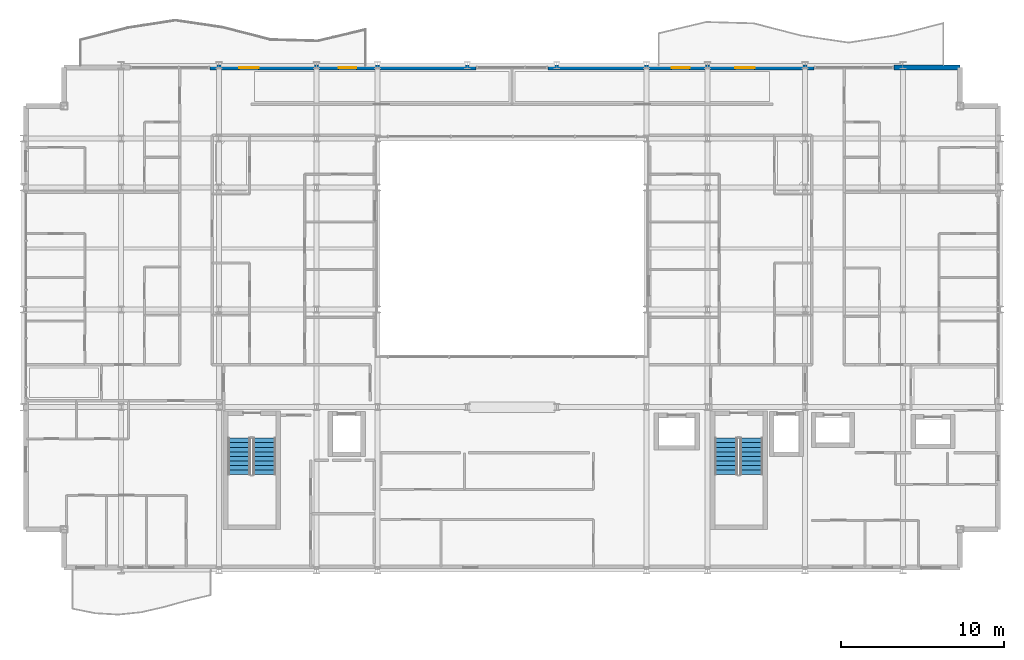
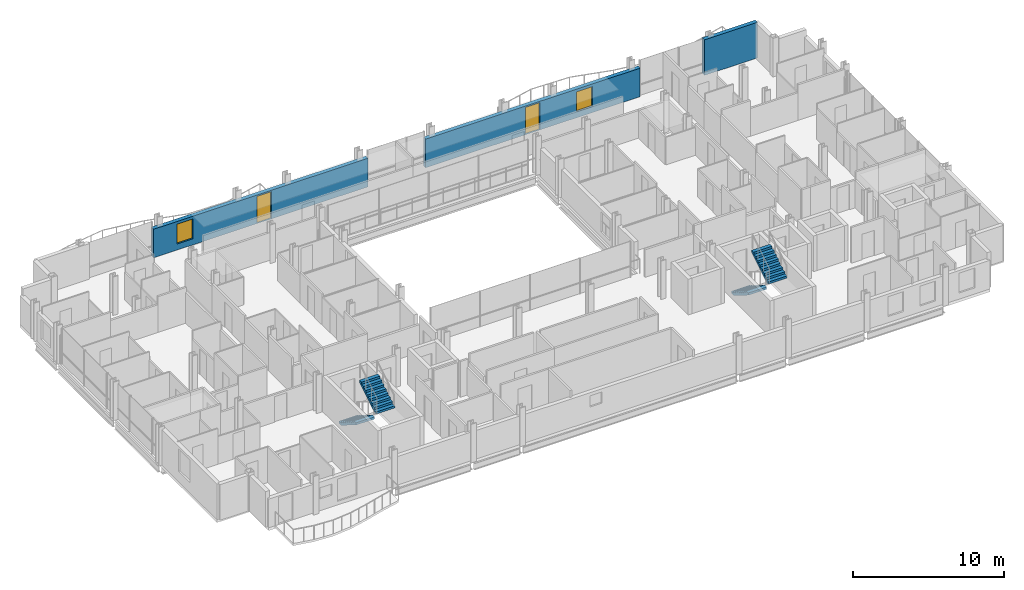
# One storey, part 37 of 41: 4 stair flights, 3 walls, 2 doors, 2 windows, 4 openings, 2 elements without a shape of their own.
"""IFC4 building model written with IfcOpenShell, lengths in metres."""

from ifc_helpers import new_model, si_unit, direction, frame, frame_2d, origin, place, context, subcontext, project, spatial, polyline, rectangle, outline, extrude, material, layer, layer_set, type_object, element, fill, aggregate, save


model = new_model("IFC4")

# Units and contexts
model_context = context("Model", 3, precision=1e-05, world=origin(), true_north=direction((0.0, 1.0)))
body_context = subcontext(model_context, "Body", "Model", "MODEL_VIEW")
ifc_project = project(units=[si_unit("LENGTHUNIT", "METRE"), si_unit("AREAUNIT", "SQUARE_METRE"), si_unit("VOLUMEUNIT", "CUBIC_METRE"), si_unit("PLANEANGLEUNIT", "RADIAN"), si_unit("MASSUNIT", "GRAM", prefix="KILO")], contexts=[model_context])

# Site, building, storey
site_placement = place(None, origin())
site = spatial("IfcSite", under=ifc_project, at=site_placement, CompositionType="ELEMENT")
building_placement = place(site_placement, origin())
building = spatial("IfcBuilding", under=site, at=building_placement, Name="Brevholm Reach", CompositionType="ELEMENT")
storey_placement = place(building_placement, frame((0.0, 0.0, 68.300048828125)))
storey = spatial("IfcBuildingStorey", under=building, at=storey_placement, Name="L19", CompositionType="ELEMENT", Elevation=68.300048828125)

# Wall
ifc_material_1 = material(Name="Concrete C40/50", Category="concrete")
ifc_layer_1 = layer(ifc_material_1, 0.300048828125)
ifc_layer_set_1 = layer_set([ifc_layer_1], Name="Concrete C40/50")
wall_type = type_object("IfcWallType", Name="WAL-EXT-300", PredefinedType="STANDARD", material=ifc_layer_set_1)
wall_1_placement = place(storey_placement, frame((53.449951171875, 30.85009765625, 0.0), z_axis=(0.0, 0.0, 1.0), x_axis=(1.0, 0.0, 0.0)))
element("IfcWall", 1, at=wall_1_placement, inside=storey, type_object=wall_type, Name="L19 Facade Wall WAL-L19-NP-E0", PredefinedType="STANDARD", context=body_context, shape_type="SweptSolid", body=[
    extrude(rectangle(XDim=4.050048828125, YDim=0.300048828125, at=frame_2d((2.02490234375, 0.0))), origin(), (0.0, 0.0, 1.0), 2.869873046875),
])

# Wall, openings, door, window
wall_2_placement = place(storey_placement, frame((11.449951171875, 30.85009765625, 0.0), z_axis=(0.0, 0.0, 1.0), x_axis=(1.0, 0.0, 0.0)))
wall_2 = element("IfcWall", 2, at=wall_2_placement, inside=storey, type_object=wall_type, Name="L19 Facade Wall WAL-L19-NP-WL", PredefinedType="STANDARD", context=body_context, shape_type="SweptSolid", body=[
    extrude(rectangle(XDim=16.35009765625, YDim=0.300048828125, at=frame_2d((8.175048828125, 0.0))), origin(), (0.0, 0.0, 1.0), 2.305419921875),
])
opening_1_placement = place(wall_2_placement, frame((7.89794921875, 0.0, 0.0)))
opening_1 = element("IfcOpeningElement", 3, at=opening_1_placement, cuts=wall_2, Name="Opening BD-01", PredefinedType="OPENING", context=body_context, shape_type="SweptSolid", body=[
    extrude(rectangle(XDim=1.10009765625, YDim=2.199951171875, at=frame_2d((0.550048828125, 1.10009765625))), frame((0.0, 0.159912109375, 0.0), z_axis=(0.0, -1.0, 0.0), x_axis=(1.0, 0.0, 0.0)), (0.0, 0.0, 1.0), 0.320068359375),
])
opening_2_placement = place(wall_2_placement, frame((1.800048828125, 0.0, 0.486083984375)))
opening_2 = element("IfcOpeningElement", 4, at=opening_2_placement, cuts=wall_2, Name="Opening WN-08", PredefinedType="OPENING", context=body_context, shape_type="SweptSolid", body=[
    extrude(rectangle(XDim=1.199951171875, YDim=1.60009765625, at=frame_2d((0.60009765625, 0.800048828125))), frame((0.0, 0.159912109375, 0.0), z_axis=(0.0, -1.0, 0.0), x_axis=(1.0, 0.0, 0.0)), (0.0, 0.0, 1.0), 0.320068359375),
])
ifc_material_2 = material(Name="Dark Anodised Aluminium and Triple-Glazed Glass", Category="aluminium")
door_type = type_object("IfcDoorType", Name="DOR-BALC-1100", OperationType="NOTDEFINED", PredefinedType="DOOR", material=ifc_material_2)
door_1_placement = place(opening_1_placement, origin())
door_1 = element("IfcDoor", 5, at=door_1_placement, inside=storey, type_object=door_type, Name="L19 Exterior Door DOR-L19-BL-NW", OperationType="SINGLE_SWING_LEFT", OverallHeight=2.199951171875, OverallWidth=1.10009765625, PredefinedType="DOOR", context=body_context, shape_type="SweptSolid", body=[
    extrude(rectangle(XDim=1.10009765625, YDim=2.199951171875, at=frame_2d((0.550048828125, 1.10009765625))), frame((0.0, 0.02490234375, 0.0), z_axis=(0.0, -1.0, 0.0), x_axis=(1.0, 0.0, 0.0)), (0.0, 0.0, 1.0), 0.050048828125),
])
fill(opening_1, door_1)
ifc_material_3 = material(Name="Dark Anodised Aluminium and Solar-Control IGU Glass", Category="aluminium")
window_type = type_object("IfcWindowType", Name="WIN-RES-1200", PartitioningType="SINGLE_PANEL", PredefinedType="WINDOW", material=ifc_material_3)
window_1_placement = place(opening_2_placement, origin())
window_1 = element("IfcWindow", 6, at=window_1_placement, inside=storey, type_object=window_type, Name="L19 Window WIN-L19-NP-WL1", OverallHeight=1.60009765625, OverallWidth=1.199951171875, PartitioningType="SINGLE_PANEL", PredefinedType="WINDOW", context=body_context, shape_type="SweptSolid", body=[
    extrude(rectangle(XDim=1.199951171875, YDim=1.60009765625, at=frame_2d((0.60009765625, 0.800048828125))), frame((0.0, 0.030029296875, 0.0), z_axis=(0.0, -1.0, 0.0), x_axis=(1.0, 0.0, 0.0)), (0.0, 0.0, 1.0), 0.06005859375),
])
fill(opening_2, window_1)

wall_3_placement = place(storey_placement, frame((32.199951171875, 30.85009765625, 0.0), z_axis=(0.0, 0.0, 1.0), x_axis=(1.0, 0.0, 0.0)))
wall_3 = element("IfcWall", 7, at=wall_3_placement, inside=storey, type_object=wall_type, Name="L19 Facade Wall WAL-L19-NP-ER", PredefinedType="STANDARD", context=body_context, shape_type="SweptSolid", body=[
    extrude(rectangle(XDim=16.35009765625, YDim=0.300048828125, at=frame_2d((8.175048828125, 0.0))), origin(), (0.0, 0.0, 1.0), 2.305419921875),
])
opening_3_placement = place(wall_3_placement, frame((7.60009765625, 0.0, 0.0)))
opening_3 = element("IfcOpeningElement", 8, at=opening_3_placement, cuts=wall_3, Name="Opening BD-01", PredefinedType="OPENING", context=body_context, shape_type="SweptSolid", body=[
    extrude(rectangle(XDim=1.10009765625, YDim=2.199951171875, at=frame_2d((0.550048828125, 1.10009765625))), frame((0.0, 0.159912109375, 0.0), z_axis=(0.0, -1.0, 0.0), x_axis=(1.0, 0.0, 0.0)), (0.0, 0.0, 1.0), 0.320068359375),
])
opening_4_placement = place(wall_3_placement, frame((11.5, 0.0, 0.486083984375)))
opening_4 = element("IfcOpeningElement", 9, at=opening_4_placement, cuts=wall_3, Name="Opening WN-08", PredefinedType="OPENING", context=body_context, shape_type="SweptSolid", body=[
    extrude(rectangle(XDim=1.199951171875, YDim=1.60009765625, at=frame_2d((0.60009765625, 0.800048828125))), frame((0.0, 0.159912109375, 0.0), z_axis=(0.0, -1.0, 0.0), x_axis=(1.0, 0.0, 0.0)), (0.0, 0.0, 1.0), 0.320068359375),
])
door_2_placement = place(opening_3_placement, origin())
door_2 = element("IfcDoor", 10, at=door_2_placement, inside=storey, type_object=door_type, Name="L19 Exterior Door DOR-L19-BL-NE", OperationType="SINGLE_SWING_RIGHT", OverallHeight=2.199951171875, OverallWidth=1.10009765625, PredefinedType="DOOR", context=body_context, shape_type="SweptSolid", body=[
    extrude(rectangle(XDim=1.10009765625, YDim=2.199951171875, at=frame_2d((0.550048828125, 1.10009765625))), frame((0.0, 0.02490234375, 0.0), z_axis=(0.0, -1.0, 0.0), x_axis=(1.0, 0.0, 0.0)), (0.0, 0.0, 1.0), 0.050048828125),
])
fill(opening_3, door_2)
window_2_placement = place(opening_4_placement, origin())
window_2 = element("IfcWindow", 11, at=window_2_placement, inside=storey, type_object=window_type, Name="L19 Window WIN-L19-NP-ER1", OverallHeight=1.60009765625, OverallWidth=1.199951171875, PartitioningType="SINGLE_PANEL", PredefinedType="WINDOW", context=body_context, shape_type="SweptSolid", body=[
    extrude(rectangle(XDim=1.199951171875, YDim=1.60009765625, at=frame_2d((0.60009765625, 0.800048828125))), frame((0.0, 0.030029296875, 0.0), z_axis=(0.0, -1.0, 0.0), x_axis=(1.0, 0.0, 0.0)), (0.0, 0.0, 1.0), 0.06005859375),
])
fill(opening_4, window_2)

# Stair, stair flights
ifc_material_4 = material(Name="Precast Concrete C40/50", Category="concrete")
stair_type = type_object("IfcStairType", Name="STR-ESC-1400", PredefinedType="DOUBLE_RETURN_STAIR", material=ifc_material_4)
stair_1_placement = place(storey_placement, origin())
stair_1 = element("IfcStair", 12, at=stair_1_placement, inside=storey, type_object=stair_type, Name="L19 ST-1", PredefinedType="DOUBLE_RETURN_STAIR")
ifc_material_5 = material(Name="Precast Concrete C40/50", Category="concrete")
ifc_layer_2 = layer(ifc_material_5, 0.18505859375)
ifc_layer_set_2 = layer_set([ifc_layer_2], Name="Precast Concrete C40/50")
stair_flight_type = type_object("IfcStairFlightType", Name="STF-PRC-185", PredefinedType="STRAIGHT", material=ifc_layer_set_2)
stair_flight_1_placement = place(storey_placement, frame((13.25, 8.10009765625, 0.0), z_axis=(0.0, 0.0, 1.0), x_axis=(0.0, -1.0, 0.0)))
stair_flight_1 = element("IfcStairFlight", 13, at=stair_flight_1_placement, type_object=stair_flight_type, Name="ST-1 flight 1", NumberOfRisers=9, NumberOfTreads=8, PredefinedType="STRAIGHT", RiserHeight=0.172222222, TreadLength=0.28, context=body_context, shape_type="SweptSolid", body=[
    extrude(outline(polyline([(0.0, 0.0), (0.0, 0.172119140625), (0.280029296875, 0.172119140625), (0.280029296875, 0.344482421875), (0.56005859375, 0.344482421875), (0.56005859375, 0.5166015625), (0.840087890625, 0.5166015625), (0.840087890625, 0.68896484375), (1.1201171875, 0.68896484375), (1.1201171875, 0.861083984375), (1.39990234375, 0.861083984375), (1.39990234375, 1.033447265625), (1.679931640625, 1.033447265625), (1.679931640625, 1.20556640625), (1.9599609375, 1.20556640625), (1.9599609375, 1.377685546875), (2.239990234375, 1.377685546875), (2.239990234375, 1.550048828125), (2.239990234375, 1.201904296875), (0.2861328125, 0.0), (0.0, 0.0)])), frame((0.0, 0.699951171875, 0.0), z_axis=(0.0, -1.0, 0.0), x_axis=(1.0, 0.0, 0.0)), (0.0, 0.0, 1.0), 1.39990234375),
])
stair_flight_2_placement = place(storey_placement, frame((14.800048828125, 5.860107421875, 1.550048828125), z_axis=(0.0, 0.0, 1.0), x_axis=(0.0, 1.0, 0.0)))
stair_flight_2 = element("IfcStairFlight", 14, at=stair_flight_2_placement, type_object=stair_flight_type, Name="ST-1 flight 2", NumberOfRisers=9, NumberOfTreads=8, PredefinedType="STRAIGHT", RiserHeight=0.172222222, TreadLength=0.28, context=body_context, shape_type="SweptSolid", body=[
    extrude(outline(polyline([(0.0, 0.0), (0.0, 0.172119140625), (0.280029296875, 0.172119140625), (0.280029296875, 0.344482421875), (0.56005859375, 0.344482421875), (0.56005859375, 0.5166015625), (0.840087890625, 0.5166015625), (0.840087890625, 0.68896484375), (1.1201171875, 0.68896484375), (1.1201171875, 0.861083984375), (1.39990234375, 0.861083984375), (1.39990234375, 1.033447265625), (1.679931640625, 1.033447265625), (1.679931640625, 1.20556640625), (1.9599609375, 1.20556640625), (1.9599609375, 1.377685546875), (2.239990234375, 1.377685546875), (2.239990234375, 1.550048828125), (2.239990234375, 1.201904296875), (0.2861328125, 0.0), (0.0, 0.0)])), frame((0.0, 0.699951171875, 0.0), z_axis=(0.0, -1.0, 0.0), x_axis=(1.0, 0.0, 0.0)), (0.0, 0.0, 1.0), 1.39990234375),
])
aggregate(stair_1, [stair_flight_1, stair_flight_2])

stair_2_placement = place(storey_placement, origin())
stair_2 = element("IfcStair", 15, at=stair_2_placement, inside=storey, type_object=stair_type, Name="L19 ST-2", PredefinedType="DOUBLE_RETURN_STAIR")
stair_flight_3_placement = place(storey_placement, frame((43.14990234375, 8.10009765625, 0.0), z_axis=(0.0, 0.0, 1.0), x_axis=(0.0, -1.0, 0.0)))
stair_flight_3 = element("IfcStairFlight", 16, at=stair_flight_3_placement, type_object=stair_flight_type, Name="ST-2 flight 1", NumberOfRisers=9, NumberOfTreads=8, PredefinedType="STRAIGHT", RiserHeight=0.172222222, TreadLength=0.28, context=body_context, shape_type="SweptSolid", body=[
    extrude(outline(polyline([(0.0, 0.0), (0.0, 0.172119140625), (0.280029296875, 0.172119140625), (0.280029296875, 0.344482421875), (0.56005859375, 0.344482421875), (0.56005859375, 0.5166015625), (0.840087890625, 0.5166015625), (0.840087890625, 0.68896484375), (1.1201171875, 0.68896484375), (1.1201171875, 0.861083984375), (1.39990234375, 0.861083984375), (1.39990234375, 1.033447265625), (1.679931640625, 1.033447265625), (1.679931640625, 1.20556640625), (1.9599609375, 1.20556640625), (1.9599609375, 1.377685546875), (2.239990234375, 1.377685546875), (2.239990234375, 1.550048828125), (2.239990234375, 1.201904296875), (0.2861328125, 0.0), (0.0, 0.0)])), frame((0.0, 0.699951171875, 0.0), z_axis=(0.0, -1.0, 0.0), x_axis=(1.0, 0.0, 0.0)), (0.0, 0.0, 1.0), 1.39990234375),
])
stair_flight_4_placement = place(storey_placement, frame((44.699951171875, 5.860107421875, 1.550048828125), z_axis=(0.0, 0.0, 1.0), x_axis=(0.0, 1.0, 0.0)))
stair_flight_4 = element("IfcStairFlight", 17, at=stair_flight_4_placement, type_object=stair_flight_type, Name="ST-2 flight 2", NumberOfRisers=9, NumberOfTreads=8, PredefinedType="STRAIGHT", RiserHeight=0.172222222, TreadLength=0.28, context=body_context, shape_type="SweptSolid", body=[
    extrude(outline(polyline([(0.0, 0.0), (0.0, 0.172119140625), (0.280029296875, 0.172119140625), (0.280029296875, 0.344482421875), (0.56005859375, 0.344482421875), (0.56005859375, 0.5166015625), (0.840087890625, 0.5166015625), (0.840087890625, 0.68896484375), (1.1201171875, 0.68896484375), (1.1201171875, 0.861083984375), (1.39990234375, 0.861083984375), (1.39990234375, 1.033447265625), (1.679931640625, 1.033447265625), (1.679931640625, 1.20556640625), (1.9599609375, 1.20556640625), (1.9599609375, 1.377685546875), (2.239990234375, 1.377685546875), (2.239990234375, 1.550048828125), (2.239990234375, 1.201904296875), (0.2861328125, 0.0), (0.0, 0.0)])), frame((0.0, 0.699951171875, 0.0), z_axis=(0.0, -1.0, 0.0), x_axis=(1.0, 0.0, 0.0)), (0.0, 0.0, 1.0), 1.39990234375),
])
aggregate(stair_2, [stair_flight_3, stair_flight_4])

save(model, "model.ifc")
